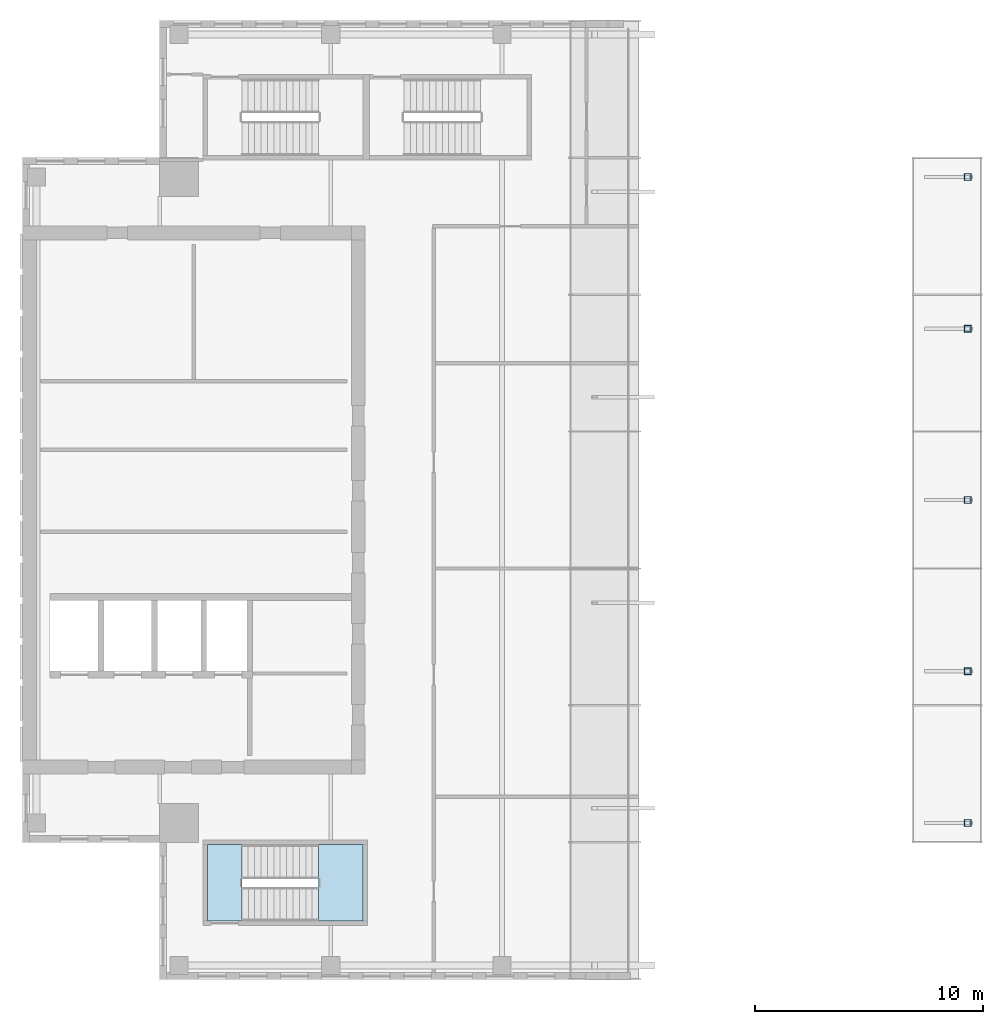
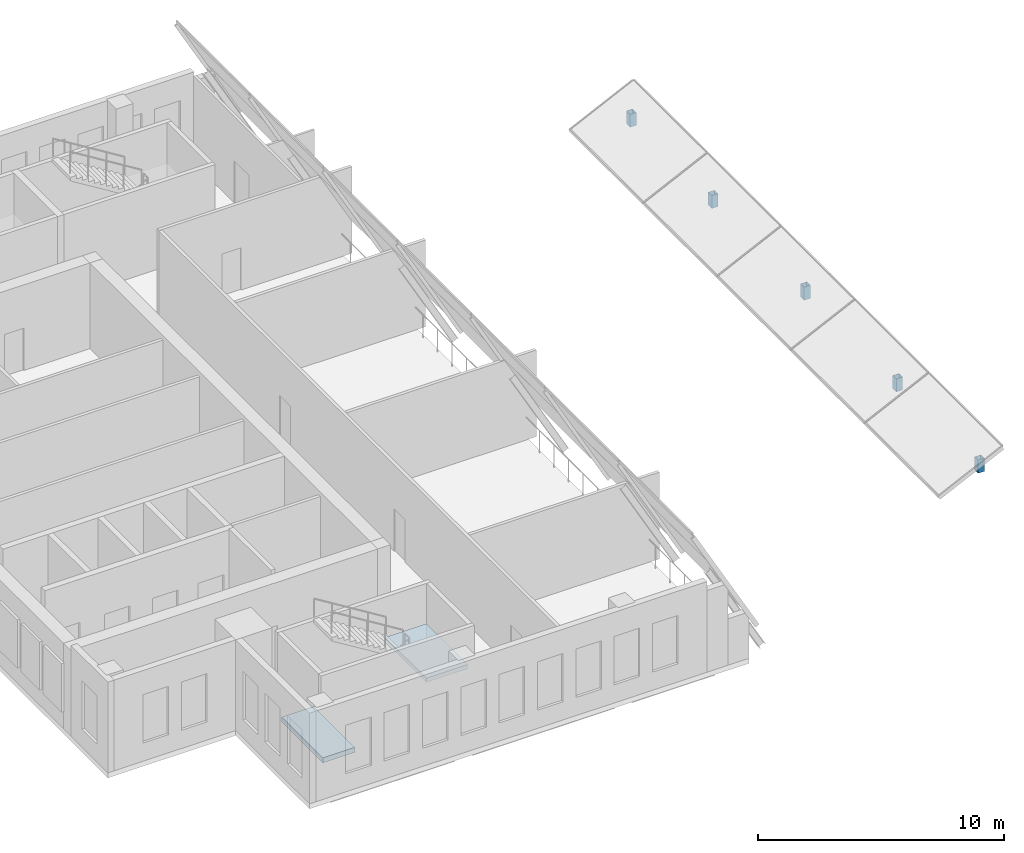
# One storey, part 2 of 7: 5 members, 2 slabs, 1 element without a shape of its own.
"""IFC4 building model written with IfcOpenShell, lengths in metres."""

from ifc_helpers import new_model, si_unit, direction, frame, origin, origin_2d, place, context, subcontext, project, spatial, polyline, hollow_rectangle, outline, extrude, source, transform, mapped, material, layer, layer_set, material_profile, profile_set, type_object, element, aggregate, save


model = new_model("IFC4")

# Units and contexts
model_context = context("Model", 3, precision=1e-05, world=origin(), true_north=direction((0.0, 1.0)))
body_context = subcontext(model_context, "Body", "Model", "MODEL_VIEW")
ifc_project = project(units=[si_unit("LENGTHUNIT", "METRE"), si_unit("AREAUNIT", "SQUARE_METRE"), si_unit("VOLUMEUNIT", "CUBIC_METRE"), si_unit("PLANEANGLEUNIT", "RADIAN"), si_unit("MASSUNIT", "GRAM", prefix="KILO")], contexts=[model_context])

# Site, building, storey
site_placement = place(None, origin())
site = spatial("IfcSite", under=ifc_project, at=site_placement, CompositionType="ELEMENT")
building_placement = place(site_placement, origin())
building = spatial("IfcBuilding", under=site, at=building_placement, Name="Khomas Fold Tower", CompositionType="ELEMENT")
storey_placement = place(building_placement, frame((0.0, 0.0, 339.199951171875)))
storey = spatial("IfcBuildingStorey", under=building, at=storey_placement, Name="C3", CompositionType="ELEMENT", Elevation=339.199951171875)

# Members
ifc_material_1 = material(Name="Steel S355", Category="steel")
ifc_material_profile = material_profile(ifc_material_1, hollow_rectangle(XDim=0.300048828125, YDim=0.300048828125, WallThickness=0.01611328125, at=origin_2d()), Name="SHS 300x300x16")
ifc_profile_set = profile_set([ifc_material_profile], Name="Steel S355")
member_type = type_object("IfcMemberType", Name="EAVE POST C3 SHS 300x300x16", PredefinedType="POST", material=ifc_profile_set)
shared_shape_1 = source(origin(), body_context, "Body", "SweptSolid", [
    extrude(hollow_rectangle(XDim=0.300048828125, YDim=0.300048828125, WallThickness=0.01611328125, at=origin_2d()), origin(), (0.0, 0.0, 1.0), 0.640625),
])
for number, where, z_axis, x_axis, name in (
    (1, (47.39990234375, 12.85009765625, 0.0), (0.0, 0.0, 1.0), (1.0, 0.0, 0.0), "CF-P-C3"),
    (2, (47.39990234375, 19.5, 0.0), (0.0, 0.0, 1.0), (1.0, 0.0, 0.0), "CF-P-C3"),
    (3, (47.39990234375, 27.0, 0.0), (0.0, 0.0, 1.0), (1.0, 0.0, 0.0), "CF-P-C3"),
    (4, (47.39990234375, 34.5, 0.0), (0.0, 0.0, 1.0), (1.0, 0.0, 0.0), "CF-P-C3"),
    (5, (47.39990234375, 41.14990234375, 0.0), (0.0, 0.0, 1.0), (1.0, 0.0, 0.0), "CF-P-C3"),
):
    element("IfcMember", number, at=place(storey_placement, frame(where, z_axis=z_axis, x_axis=x_axis)), inside=storey, type_object=member_type, Name=name, PredefinedType="POST", context=body_context, shape_type="MappedRepresentation", body=[
        mapped(shared_shape_1, transform((0.0, 0.0, 0.0))),
    ])

# Stair, slab
ifc_material_2 = material(Name="Concrete C40/50", Category="concrete")
stair_type = type_object("IfcStairType", Name="Stair ST2", PredefinedType="HALF_TURN_STAIR", material=ifc_material_2)
stair_placement = place(storey_placement, origin())
stair = element("IfcStair", 6, at=stair_placement, inside=storey, type_object=stair_type, Name="C3 ST2", PredefinedType="HALF_TURN_STAIR")
ifc_material_3 = material(Name="Concrete C40/50", Category="concrete")
ifc_layer_1 = layer(ifc_material_3, 0.199951171875)
ifc_layer_set_1 = layer_set([ifc_layer_1], Name="Concrete C40/50")
slab_type_1 = type_object("IfcSlabType", Name="Stair landing 200", PredefinedType="LANDING", material=ifc_layer_set_1)
shared_shape_2 = source(origin(), body_context, "Body", "SweptSolid", [
    extrude(outline(polyline([(18.9599609375, 8.550048828125), (20.89990234375, 8.550048828125), (20.89990234375, 11.89990234375), (18.9599609375, 11.89990234375), (18.9599609375, 8.550048828125)])), origin(), (0.0, 0.0, 1.0), 0.199951171875),
])
slab_1_placement = place(storey_placement, frame((0.0, 0.0, 2.050048828125)))
slab_1 = element("IfcSlab", 7, at=slab_1_placement, type_object=slab_type_1, Name="ST2 landing 1", PredefinedType="LANDING", context=body_context, shape_type="MappedRepresentation", body=[
    mapped(shared_shape_2, transform((0.0, 0.0, 0.0))),
])
aggregate(stair, [slab_1])

# Slab
ifc_material_4 = material(Name="Concrete C40/50", Category="concrete")
ifc_layer_2 = layer(ifc_material_4, 0.25)
ifc_layer_set_2 = layer_set([ifc_layer_2], Name="Concrete C40/50")
slab_type_2 = type_object("IfcSlabType", Name="Stair floor landing 250", PredefinedType="LANDING", material=ifc_layer_set_2)
shared_shape_3 = source(origin(), body_context, "Body", "SweptSolid", [
    extrude(outline(polyline([(14.10009765625, 11.89990234375), (15.60009765625, 11.89990234375), (15.60009765625, 8.550048828125), (14.10009765625, 8.550048828125), (14.10009765625, 11.89990234375)])), origin(), (0.0, 0.0, 1.0), 0.25),
])
slab_2_placement = place(storey_placement, frame((0.0, 0.0, -0.25)))
element("IfcSlab", 8, at=slab_2_placement, inside=storey, type_object=slab_type_2, Name="ST2 floor landing", PredefinedType="LANDING", context=body_context, shape_type="MappedRepresentation", body=[
    mapped(shared_shape_3, transform((0.0, 0.0, 0.0))),
])

save(model, "model.ifc")
